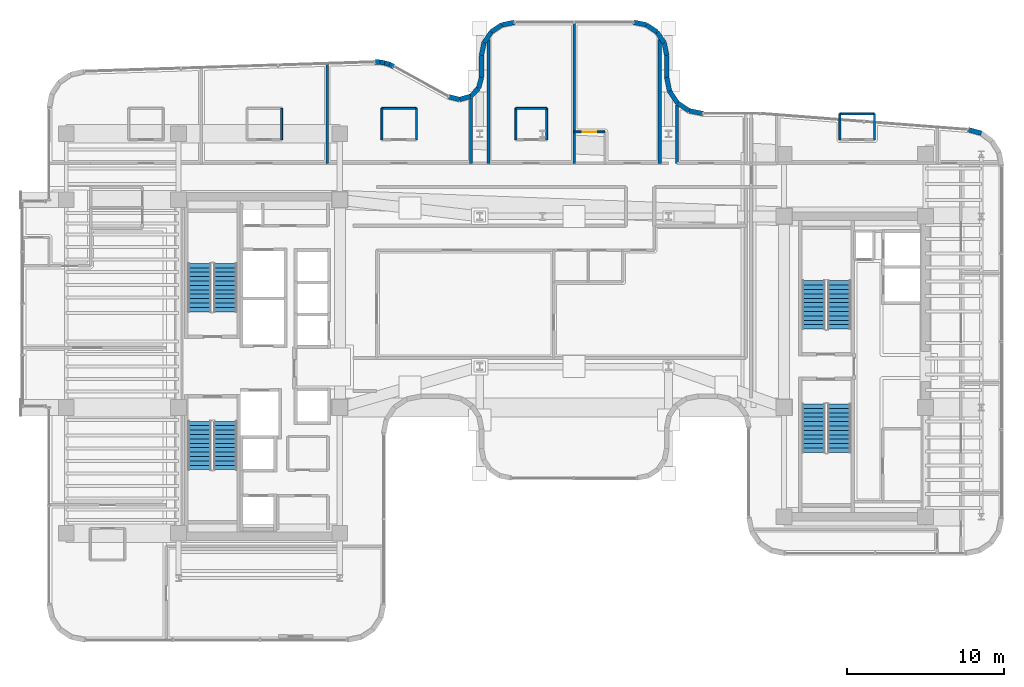
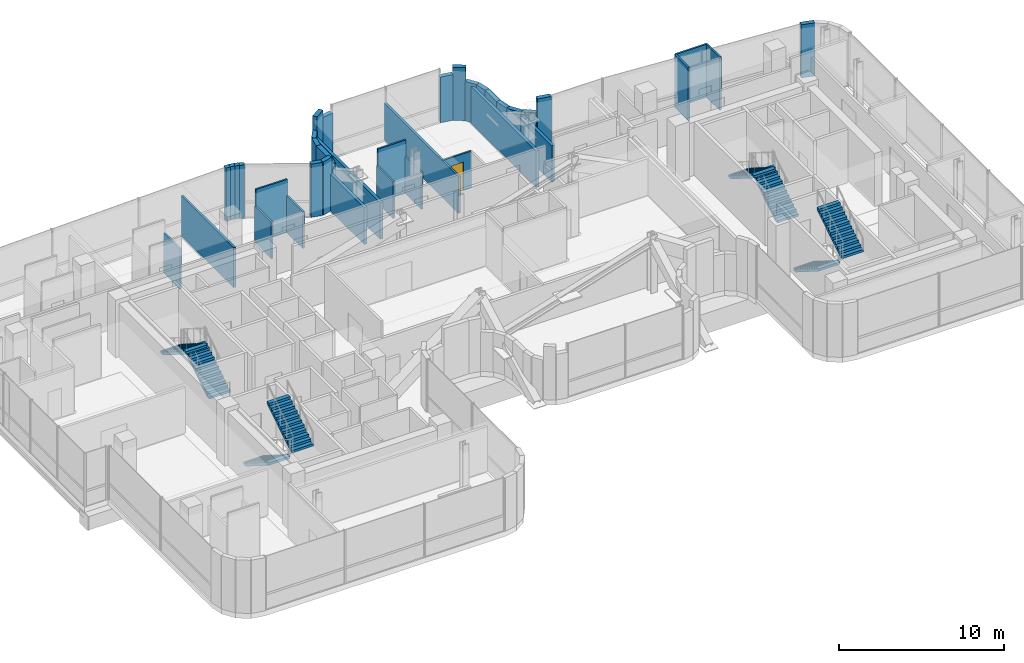
# One storey, part 31 of 37: 40 walls, 8 stair flights, 1 door, 1 opening, 4 elements without a shape of their own.
"""IFC4 building model written with IfcOpenShell, lengths in metres."""

import ifcopenshell
import ifcopenshell.guid

model = None  # the IFC model being written
_history = None  # IfcOwnerHistory: only IFC2X3 demands one
_inside = {}  # id of a spatial element -> (the spatial element, [elements in it])
_under = {}  # id of a project, library or spatial element -> (it, [spatial elements below it])
_declared = {}  # id of a project -> (the project, [libraries it declares])
_typed = {}  # id of a type object -> (the type object, [elements of that type])
_made_of = {}  # id of a material, layer set ... -> (it, [elements and type objects made of it])


def new_model(schema):
    """Start an empty IFC model of exactly this schema.

    Asked for "IFC4X3", IfcOpenShell would pick the latest addendum, in which some entities
    have other attributes; the version numbers below select the first issue.
    IFC2X3 requires an IfcOwnerHistory on every rooted entity: one is made here for all.
    """
    global model, _history
    if schema == "IFC4X3":
        model = ifcopenshell.file(schema_version=(4, 3, 0, 0))
    else:
        model = ifcopenshell.file(schema=schema)
    _inside.clear()
    _under.clear()
    _declared.clear()
    _typed.clear()
    _made_of.clear()
    _history = None
    if model.schema == "IFC2X3":
        org = make("IfcOrganization", Name="unknown")
        user = make(
            "IfcPersonAndOrganization",
            ThePerson=make("IfcPerson", FamilyName="unknown"),
            TheOrganization=org,
        )
        app = make(
            "IfcApplication",
            ApplicationDeveloper=org,
            Version="unknown",
            ApplicationFullName="unknown",
            ApplicationIdentifier="unknown",
        )
        _history = make(
            "IfcOwnerHistory",
            OwningUser=user,
            OwningApplication=app,
            ChangeAction="ADDED",
            CreationDate=0,
        )
    return model


def make(cls, **values):
    """One entity of the class cls with the attributes given. An attribute that is None is left unset."""
    return model.create_entity(
        cls, **{name: value for name, value in values.items() if value is not None}
    )


def rooted(cls, **values):
    """An entity with a GlobalId (a new one), such as an element, a storey or a relation."""
    return make(cls, GlobalId=ifcopenshell.guid.new(), OwnerHistory=_history, **values)


def si_unit(unit_type, name, prefix=None):
    """IfcSIUnit, for example si_unit("LENGTHUNIT", "METRE", prefix="MILLI")."""
    return make("IfcSIUnit", UnitType=unit_type, Prefix=prefix, Name=name)


def assignment(units):
    """IfcUnitAssignment: the units of a project."""
    return None if units is None else make("IfcUnitAssignment", Units=units)


def point(xyz):
    """IfcCartesianPoint."""
    return None if xyz is None else make("IfcCartesianPoint", Coordinates=xyz)


def direction(xyz):
    """IfcDirection."""
    return None if xyz is None else make("IfcDirection", DirectionRatios=xyz)


def frame(location, z_axis=None, x_axis=None):
    """IfcAxis2Placement3D, a coordinate frame: its origin and axes. An axis left out is left unset."""
    return make(
        "IfcAxis2Placement3D",
        Location=point(location),
        Axis=direction(z_axis),
        RefDirection=direction(x_axis),
    )


def frame_2d(location, x_axis=None):
    """IfcAxis2Placement2D, a coordinate frame in the plane: its origin and x axis."""
    return make(
        "IfcAxis2Placement2D", Location=point(location), RefDirection=direction(x_axis)
    )


def origin():
    """The frame at (0, 0, 0) with its axes left unset."""
    return frame((0.0, 0.0, 0.0))


def place(relative_to, where):
    """IfcLocalPlacement: puts the frame where relative to a parent placement (None: the world)."""
    return make(
        "IfcLocalPlacement", PlacementRelTo=relative_to, RelativePlacement=where
    )


def context(
    kind, dimensions, precision=None, world=None, true_north=None, identifier=None
):
    """IfcGeometricRepresentationContext, for example the 3D "Model" context."""
    return make(
        "IfcGeometricRepresentationContext",
        ContextIdentifier=identifier,
        ContextType=kind,
        CoordinateSpaceDimension=dimensions,
        Precision=precision,
        WorldCoordinateSystem=world,
        TrueNorth=true_north,
    )


def subcontext(parent, identifier, kind, view, scale=None):
    """IfcGeometricRepresentationSubContext, for example "Body" below "Model"."""
    return make(
        "IfcGeometricRepresentationSubContext",
        ContextIdentifier=identifier,
        ContextType=kind,
        ParentContext=parent,
        TargetScale=scale,
        TargetView=view,
    )


def project(units=None, contexts=None):
    """IfcProject with its units and contexts."""
    return rooted(
        "IfcProject",
        Name="project",
        RepresentationContexts=contexts,
        UnitsInContext=assignment(units),
    )


def spatial(cls, under=None, at=None, **own):
    """A site, building, storey or space (cls), placed at a placement, below another one or the project."""
    s = rooted(cls, ObjectPlacement=at, **own)
    if under is not None:
        _under.setdefault(under.id(), (under, []))[1].append(s)
    return s


def polyline(points):
    """IfcPolyline through the points."""
    return make("IfcPolyline", Points=[point(p) for p in points])


def profile(cls, at=None, kind="AREA", **sizes):
    """A parametric profile (cls). Its sizes go by their IFC names, for example OverallWidth=200.0."""
    return make(cls, ProfileType=kind, Position=at, **sizes)


def rectangle(**sizes):
    """IfcRectangleProfileDef."""
    return profile("IfcRectangleProfileDef", **sizes)


def outline(outer, holes=None, kind="AREA"):
    """IfcArbitraryClosedProfileDef: a profile drawn as a closed curve; with holes, ...WithVoids."""
    if holes is None:
        return make("IfcArbitraryClosedProfileDef", ProfileType=kind, OuterCurve=outer)
    return make(
        "IfcArbitraryProfileDefWithVoids",
        ProfileType=kind,
        OuterCurve=outer,
        InnerCurves=holes,
    )


def extrude(swept, where, along, depth):
    """IfcExtrudedAreaSolid: the profile swept, set in the frame where, extruded along a direction by depth."""
    return make(
        "IfcExtrudedAreaSolid",
        SweptArea=swept,
        Position=where,
        ExtrudedDirection=direction(along),
        Depth=depth,
    )


def shape(context_of_items, identifier, shape_type, items):
    """IfcShapeRepresentation: the items that make up one representation, for example the "Body"."""
    return make(
        "IfcShapeRepresentation",
        ContextOfItems=context_of_items,
        RepresentationIdentifier=identifier,
        RepresentationType=shape_type,
        Items=items,
    )


def material(Name=None, Category=None):
    """IfcMaterial."""
    return make("IfcMaterial", Name=Name, Category=Category)


def layer(
    of_material, thickness, ventilated=None, Name=None, Category=None, Priority=None
):
    """IfcMaterialLayer: one layer of a wall or slab, of a material (None: an air gap)."""
    return make(
        "IfcMaterialLayer",
        Material=of_material,
        LayerThickness=thickness,
        IsVentilated=ventilated,
        Name=Name,
        Category=Category,
        Priority=Priority,
    )


def layer_set(layers, Name=None):
    """IfcMaterialLayerSet."""
    return make("IfcMaterialLayerSet", MaterialLayers=layers, LayerSetName=Name)


def made_of(thing, what):
    """Note that an element or type object is made of a material, layer set ...; save() writes the relation."""
    if what is not None:
        _made_of.setdefault(what.id(), (what, []))[1].append(thing)
    return thing


def type_object(cls, material=None, **own):
    """A type object (cls), such as IfcWallType, which elements share."""
    return made_of(rooted(cls, **own), material)


def element(
    cls,
    number,
    at=None,
    inside=None,
    cuts=None,
    type_object=None,
    material=None,
    context=None,
    identifier="Body",
    shape_type=None,
    held_by="IfcProductDefinitionShape",
    body=None,
    shapes=None,
    **own,
):
    """One element of the class cls, such as IfcWall. Its Tag is "e" and its number.

    at: its placement. inside: the storey or other place that contains it. cuts: it is an
    opening in that element (IfcRelVoidsElement). A single representation is given by context,
    identifier, shape_type and body (its items); several are given by shapes. held_by: the class
    of the entity that holds the representations. save() writes the other relations.
    """
    e = rooted(cls, Tag="e%d" % number, ObjectPlacement=at, **own)
    if body is not None:
        shapes = [shape(context, identifier, shape_type, body)]
    if shapes is not None:
        e.Representation = make(held_by, Representations=shapes)
    if inside is not None:
        _inside.setdefault(inside.id(), (inside, []))[1].append(e)
    if cuts is not None:
        rooted(
            "IfcRelVoidsElement", RelatingBuildingElement=cuts, RelatedOpeningElement=e
        )
    if type_object is not None:
        _typed.setdefault(type_object.id(), (type_object, []))[1].append(e)
    return made_of(e, material)


def fill(opening, filler):
    """IfcRelFillsElement: the door or window that sits in an opening."""
    return rooted(
        "IfcRelFillsElement",
        RelatingOpeningElement=opening,
        RelatedBuildingElement=filler,
    )


def aggregate(whole, parts):
    """IfcRelAggregates: a whole, such as a stair, and the parts it consists of."""
    return rooted("IfcRelAggregates", RelatingObject=whole, RelatedObjects=parts)


def save(model, path):
    """Write the relations noted so far, then the file.

    IfcRelAggregates (storeys below a building ...), IfcRelContainedInSpatialStructure (elements
    in a storey), IfcRelDefinesByType, IfcRelAssociatesMaterial and IfcRelDeclares: one each for
    every whole, place, type object, material and project.
    """
    for whole, parts in _under.values():
        aggregate(whole, parts)
    for where, things in _inside.values():
        rooted(
            "IfcRelContainedInSpatialStructure",
            RelatedElements=things,
            RelatingStructure=where,
        )
    for kind, things in _typed.values():
        rooted("IfcRelDefinesByType", RelatedObjects=things, RelatingType=kind)
    for what, things in _made_of.values():
        rooted("IfcRelAssociatesMaterial", RelatedObjects=things, RelatingMaterial=what)
    for by, libraries in _declared.values():
        rooted("IfcRelDeclares", RelatingContext=by, RelatedDefinitions=libraries)
    model.write(path)


model = new_model("IFC4")

# Units and contexts
model_context = context("Model", 3, precision=1e-05, world=origin(), true_north=direction((0.0, 1.0)))
body_context = subcontext(model_context, "Body", "Model", "MODEL_VIEW")
ifc_project = project(units=[si_unit("LENGTHUNIT", "METRE"), si_unit("AREAUNIT", "SQUARE_METRE"), si_unit("VOLUMEUNIT", "CUBIC_METRE"), si_unit("PLANEANGLEUNIT", "RADIAN"), si_unit("MASSUNIT", "GRAM", prefix="KILO")], contexts=[model_context])

# Site, building, storey
site_placement = place(None, origin())
site = spatial("IfcSite", under=ifc_project, at=site_placement, CompositionType="ELEMENT")
building_placement = place(site_placement, origin())
building = spatial("IfcBuilding", under=site, at=building_placement, Name="Valdorenza Pilgrim Sanctuary Tower", CompositionType="ELEMENT")
storey_placement = place(building_placement, frame((0.0, 0.0, 172.300048828125)))
storey = spatial("IfcBuildingStorey", under=building, at=storey_placement, Name="L44", CompositionType="ELEMENT", Elevation=172.300048828125)

# Walls
ifc_material_1 = material(Name="Honed travertine limestone", Category="masonry")
ifc_layer_1 = layer(ifc_material_1, 0.300048828125, Name="Honed travertine limestone")
ifc_layer_set_1 = layer_set([ifc_layer_1], Name="Honed travertine limestone")
wall_type_1 = type_object("IfcWallType", Name="WAL-EXT-300", PredefinedType="SOLIDWALL", material=ifc_layer_set_1)
wall_1_placement = place(storey_placement, frame((-10.157958984375, 19.368408203125, 0.0), z_axis=(0.0, 0.0, 1.0), x_axis=(0.999425494718, -0.03389218949, 0.0)))
element("IfcWall", 1, at=wall_1_placement, inside=storey, type_object=wall_type_1, Name="L44 Rounded Wind-Corner Stone Pier 7", PredefinedType="SOLIDWALL", context=body_context, shape_type="SweptSolid", body=[
    extrude(rectangle(XDim=0.309814453125, YDim=0.300048828125, at=frame_2d((0.15478515625, 0.0))), origin(), (0.0, 0.0, 1.0), 3.929931640625),
])
for number, where, z_axis, x_axis, name in (
    (2, (-9.848388671875, 19.35791015625, 0.0), (0.0, 0.0, 1.0), (0.985894009724, -0.167370850479, 0.0), "L44 Rounded Wind-Corner Stone Pier 8"),
    (3, (-9.54638671875, 19.306640625, 0.0), (0.0, 0.0, 1.0), (0.95479144403, -0.297276467966, 0.0), "L44 Rounded Wind-Corner Stone Pier 9"),
):
    element("IfcWall", number, at=place(storey_placement, frame(where, z_axis=z_axis, x_axis=x_axis)), inside=storey, type_object=wall_type_1, Name=name, PredefinedType="SOLIDWALL", context=body_context, shape_type="SweptSolid", body=[
        extrude(rectangle(XDim=0.306396484375, YDim=0.300048828125, at=frame_2d((0.1533203125, 0.0))), origin(), (0.0, 0.0, 1.0), 3.929931640625),
    ])
wall_2_placement = place(storey_placement, frame((-9.25390625, 19.215576171875, 0.0), z_axis=(0.0, 0.0, 1.0), x_axis=(0.906524902388, -0.42215234377, 0.0)))
element("IfcWall", 4, at=wall_2_placement, inside=storey, type_object=wall_type_1, Name="L44 Rounded Wind-Corner Stone Pier 10", PredefinedType="SOLIDWALL", context=body_context, shape_type="SweptSolid", body=[
    extrude(rectangle(XDim=0.31005859375, YDim=0.300048828125, at=frame_2d((0.155029296875, 0.0))), origin(), (0.0, 0.0, 1.0), 3.929931640625),
])
wall_3_placement = place(storey_placement, frame((-5.4716796875, 17.15869140625, 0.0), z_axis=(0.0, 0.0, 1.0), x_axis=(0.970564820059, -0.240840050789, 0.0)))
element("IfcWall", 5, at=wall_3_placement, inside=storey, type_object=wall_type_1, Name="L44 Rounded Wind-Corner Stone Pier 12", PredefinedType="SOLIDWALL", context=body_context, shape_type="SweptSolid", body=[
    extrude(rectangle(XDim=0.711669921875, YDim=0.300048828125, at=frame_2d((0.35595703125, 0.0))), origin(), (0.0, 0.0, 1.0), 3.929931640625),
])
wall_4_placement = place(storey_placement, frame((-4.781005859375, 16.9873046875, 0.0), z_axis=(0.0, 0.0, 1.0), x_axis=(0.962494705656, 0.271300463662, 0.0)))
element("IfcWall", 6, at=wall_4_placement, inside=storey, type_object=wall_type_1, Name="L44 Rounded Wind-Corner Stone Pier 13", PredefinedType="SOLIDWALL", context=body_context, shape_type="SweptSolid", body=[
    extrude(rectangle(XDim=0.726318359375, YDim=0.300048828125, at=frame_2d((0.36328125, 0.0))), origin(), (0.0, 0.0, 1.0), 3.929931640625),
])
wall_5_placement = place(storey_placement, frame((-4.08203125, 17.184326171875, 0.0), z_axis=(0.0, 0.0, 1.0), x_axis=(0.701538604215, 0.712631452293, 0.0)))
element("IfcWall", 7, at=wall_5_placement, inside=storey, type_object=wall_type_1, Name="L44 Rounded Wind-Corner Stone Pier 14", PredefinedType="SOLIDWALL", context=body_context, shape_type="SweptSolid", body=[
    extrude(rectangle(XDim=0.726318359375, YDim=0.300048828125, at=frame_2d((0.36328125, 0.0))), origin(), (0.0, 0.0, 1.0), 2.9150390625),
])
wall_6_placement = place(storey_placement, frame((-3.572509765625, 17.701904296875, 0.0), z_axis=(0.0, 0.0, 1.0), x_axis=(0.256637481794, 0.966507735581, 0.0)))
element("IfcWall", 8, at=wall_6_placement, inside=storey, type_object=wall_type_1, Name="L44 Rounded Wind-Corner Stone Pier 15", PredefinedType="SOLIDWALL", context=body_context, shape_type="SweptSolid", body=[
    extrude(rectangle(XDim=0.711669921875, YDim=0.300048828125, at=frame_2d((0.35595703125, 0.0))), origin(), (0.0, 0.0, 1.0), 2.9150390625),
])
wall_7_placement = place(storey_placement, frame((-3.389892578125, 18.3896484375, 0.0), z_axis=(0.0, 0.0, 1.0), x_axis=(0.0, 1.0, 0.0)))
element("IfcWall", 9, at=wall_7_placement, inside=storey, type_object=wall_type_1, Name="L44 Rounded Wind-Corner Stone Pier 16", PredefinedType="SOLIDWALL", context=body_context, shape_type="SweptSolid", body=[
    extrude(rectangle(XDim=1.3955078125, YDim=0.300048828125, at=frame_2d((0.69775390625, 0.0))), origin(), (0.0, 0.0, 1.0), 2.9150390625),
])
wall_8_placement = place(storey_placement, frame((-3.389892578125, 19.78515625, 0.0), z_axis=(0.0, 0.0, 1.0), x_axis=(0.195094354541, 0.980784478276, 0.0)))
element("IfcWall", 10, at=wall_8_placement, inside=storey, type_object=wall_type_1, Name="L44 Rounded Wind-Corner Stone Pier 17", PredefinedType="SOLIDWALL", context=body_context, shape_type="SweptSolid", body=[
    extrude(rectangle(XDim=0.8271484375, YDim=0.300048828125, at=frame_2d((0.41357421875, 0.0))), origin(), (0.0, 0.0, 1.0), 2.9150390625),
])
wall_9_placement = place(storey_placement, frame((-3.228515625, 20.596435546875, 0.0), z_axis=(0.0, 0.0, 1.0), x_axis=(0.55545926088, 0.831543750805, 0.0)))
element("IfcWall", 11, at=wall_9_placement, inside=storey, type_object=wall_type_1, Name="L44 Rounded Wind-Corner Stone Pier 18", PredefinedType="SOLIDWALL", context=body_context, shape_type="SweptSolid", body=[
    extrude(rectangle(XDim=0.816162109375, YDim=0.300048828125, at=frame_2d((0.408203125, 0.0))), origin(), (0.0, 0.0, 1.0), 2.9150390625),
])
wall_10_placement = place(storey_placement, frame((-2.775146484375, 21.275146484375, 0.0), z_axis=(0.0, 0.0, 1.0), x_axis=(0.831543750805, 0.55545926088, 0.0)))
element("IfcWall", 12, at=wall_10_placement, inside=storey, type_object=wall_type_1, Name="L44 Rounded Wind-Corner Stone Pier 19", PredefinedType="SOLIDWALL", context=body_context, shape_type="SweptSolid", body=[
    extrude(rectangle(XDim=0.816162109375, YDim=0.300048828125, at=frame_2d((0.408203125, 0.0))), origin(), (0.0, 0.0, 1.0), 3.929931640625),
])
for number, where, z_axis, x_axis, name in (
    (13, (-2.096435546875, 21.728515625, 0.0), (0.0, 0.0, 1.0), (0.980784478276, 0.195094354541, 0.0), "L44 Rounded Wind-Corner Stone Pier 20"),
    (14, (6.28515625, 21.889892578125, 0.0), (0.0, 0.0, 1.0), (0.980784478276, -0.195094354541, 0.0), "L44 Rounded Wind-Corner Stone Pier 22"),
):
    element("IfcWall", number, at=place(storey_placement, frame(where, z_axis=z_axis, x_axis=x_axis)), inside=storey, type_object=wall_type_1, Name=name, PredefinedType="SOLIDWALL", context=body_context, shape_type="SweptSolid", body=[
        extrude(rectangle(XDim=0.8271484375, YDim=0.300048828125, at=frame_2d((0.41357421875, 0.0))), origin(), (0.0, 0.0, 1.0), 3.3759765625),
    ])
wall_11_placement = place(storey_placement, frame((7.096435546875, 21.728515625, 0.0), z_axis=(0.0, 0.0, 1.0), x_axis=(0.831543750805, -0.55545926088, 0.0)))
element("IfcWall", 15, at=wall_11_placement, inside=storey, type_object=wall_type_1, Name="L44 Rounded Wind-Corner Stone Pier 23", PredefinedType="SOLIDWALL", context=body_context, shape_type="SweptSolid", body=[
    extrude(rectangle(XDim=0.816162109375, YDim=0.300048828125, at=frame_2d((0.408203125, 0.0))), origin(), (0.0, 0.0, 1.0), 3.929931640625),
])
wall_12_placement = place(storey_placement, frame((7.775146484375, 21.275146484375, 0.0), z_axis=(0.0, 0.0, 1.0), x_axis=(0.55545926088, -0.831543750805, 0.0)))
element("IfcWall", 16, at=wall_12_placement, inside=storey, type_object=wall_type_1, Name="L44 Rounded Wind-Corner Stone Pier 24", PredefinedType="SOLIDWALL", context=body_context, shape_type="SweptSolid", body=[
    extrude(rectangle(XDim=0.816162109375, YDim=0.300048828125, at=frame_2d((0.408203125, 0.0))), origin(), (0.0, 0.0, 1.0), 2.9150390625),
])
wall_13_placement = place(storey_placement, frame((8.228515625, 20.596435546875, 0.0), z_axis=(0.0, 0.0, 1.0), x_axis=(0.195094354541, -0.980784478276, 0.0)))
element("IfcWall", 17, at=wall_13_placement, inside=storey, type_object=wall_type_1, Name="L44 Rounded Wind-Corner Stone Pier 25", PredefinedType="SOLIDWALL", context=body_context, shape_type="SweptSolid", body=[
    extrude(rectangle(XDim=0.8271484375, YDim=0.300048828125, at=frame_2d((0.41357421875, 0.0))), origin(), (0.0, 0.0, 1.0), 2.9150390625),
])
wall_14_placement = place(storey_placement, frame((8.389892578125, 19.78515625, 0.0), z_axis=(0.0, 0.0, 1.0), x_axis=(0.0, -1.0, 0.0)))
element("IfcWall", 18, at=wall_14_placement, inside=storey, type_object=wall_type_1, Name="L44 Rounded Wind-Corner Stone Pier 26", PredefinedType="SOLIDWALL", context=body_context, shape_type="SweptSolid", body=[
    extrude(rectangle(XDim=1.391845703125, YDim=0.300048828125, at=frame_2d((0.69580078125, 0.0))), origin(), (0.0, 0.0, 1.0), 2.9150390625),
])
wall_15_placement = place(storey_placement, frame((8.389892578125, 18.393310546875, 0.0), z_axis=(0.0, 0.0, 1.0), x_axis=(0.195222179208, -0.980759043163, 0.0)))
element("IfcWall", 19, at=wall_15_placement, inside=storey, type_object=wall_type_1, Name="L44 Rounded Wind-Corner Stone Pier 27", PredefinedType="SOLIDWALL", context=body_context, shape_type="SweptSolid", body=[
    extrude(rectangle(XDim=0.892822265625, YDim=0.300048828125, at=frame_2d((0.4462890625, 0.0))), origin(), (0.0, 0.0, 1.0), 2.9150390625),
])
for number, where, z_axis, x_axis, name in (
    (20, (8.564208984375, 17.517578125, 0.0), (0.0, 0.0, 1.0), (0.555448106233, -0.831551201841, 0.0), "L44 Rounded Wind-Corner Stone Pier 28"),
    (21, (9.066162109375, 16.76611328125, 0.0), (0.0, 0.0, 1.0), (0.831551201841, -0.555448106233, 0.0), "L44 Rounded Wind-Corner Stone Pier 29"),
):
    element("IfcWall", number, at=place(storey_placement, frame(where, z_axis=z_axis, x_axis=x_axis)), inside=storey, type_object=wall_type_1, Name=name, PredefinedType="SOLIDWALL", context=body_context, shape_type="SweptSolid", body=[
        extrude(rectangle(XDim=0.90380859375, YDim=0.300048828125, at=frame_2d((0.451904296875, 0.0))), origin(), (0.0, 0.0, 1.0), 2.9150390625),
    ])
wall_16_placement = place(storey_placement, frame((9.817626953125, 16.26416015625, 0.0), z_axis=(0.0, 0.0, 1.0), x_axis=(0.980800964186, -0.195011457743, 0.0)))
element("IfcWall", 22, at=wall_16_placement, inside=storey, type_object=wall_type_1, Name="L44 Rounded Wind-Corner Stone Pier 30", PredefinedType="SOLIDWALL", context=body_context, shape_type="SweptSolid", body=[
    extrude(rectangle(XDim=0.892578125, YDim=0.300048828125, at=frame_2d((0.4462890625, 0.0))), origin(), (0.0, 0.0, 1.0), 3.929931640625),
])
wall_17_placement = place(storey_placement, frame((27.56640625, 15.0625, 0.0), z_axis=(0.0, 0.0, 1.0), x_axis=(0.965357594382, -0.260930479187, 0.0)))
element("IfcWall", 23, at=wall_17_placement, inside=storey, type_object=wall_type_1, Name="L44 Rounded Wind-Corner Stone Pier 33", PredefinedType="SOLIDWALL", context=body_context, shape_type="SweptSolid", body=[
    extrude(rectangle(XDim=0.85986328125, YDim=0.300048828125, at=frame_2d((0.429931640625, 0.0))), origin(), (0.0, 0.0, 1.0), 3.929931640625),
])
ifc_material_2 = material(Name="Gypsum shaftwall partition", Category="gypsum")
ifc_layer_2 = layer(ifc_material_2, 0.199951171875, Name="Gypsum shaftwall partition")
ifc_layer_set_2 = layer_set([ifc_layer_2], Name="Gypsum shaftwall partition")
wall_type_2 = type_object("IfcWallType", Name="WAL-FFL-200", PredefinedType="PARTITIONING", material=ifc_layer_set_2)
wall_18_placement = place(storey_placement, frame((-4.050048828125, 12.919921875, 0.0), z_axis=(0.0, 0.0, 1.0), x_axis=(0.0, 1.0, 0.0)))
element("IfcWall", 24, at=wall_18_placement, inside=storey, type_object=wall_type_2, Name="L44 L44 West Prow Truss Chase PW", PredefinedType="PARTITIONING", context=body_context, shape_type="SweptSolid", body=[
    extrude(rectangle(XDim=4.1435546875, YDim=0.199951171875, at=frame_2d((2.07177734375, 0.0))), origin(), (0.0, 0.0, 1.0), 2.71484375),
])
for number, where, z_axis, x_axis, name in (
    (25, (-2.949951171875, 12.919921875, 0.0), (0.0, 0.0, 1.0), (0.0, 1.0, 0.0), "L44 L44 West Prow Truss Chase PE"),
    (26, (7.949951171875, 12.919921875, 0.0), (0.0, 0.0, 1.0), (0.0, 1.0, 0.0), "L44 L44 East Prow Truss Chase W"),
):
    element("IfcWall", number, at=place(storey_placement, frame(where, z_axis=z_axis, x_axis=x_axis)), inside=storey, type_object=wall_type_2, Name=name, PredefinedType="PARTITIONING", context=body_context, shape_type="SweptSolid", body=[
        extrude(rectangle(XDim=7.86865234375, YDim=0.199951171875, at=frame_2d((3.934326171875, 0.0))), origin(), (0.0, 0.0, 1.0), 2.71484375),
    ])
wall_19_placement = place(storey_placement, frame((9.050048828125, 12.919921875, 0.0), z_axis=(0.0, 0.0, 1.0), x_axis=(0.0, 1.0, 0.0)))
element("IfcWall", 27, at=wall_19_placement, inside=storey, type_object=wall_type_2, Name="L44 L44 East Prow Truss Chase E", PredefinedType="PARTITIONING", context=body_context, shape_type="SweptSolid", body=[
    extrude(rectangle(XDim=3.706787109375, YDim=0.199951171875, at=frame_2d((1.853515625, 0.0))), origin(), (0.0, 0.0, 1.0), 2.71484375),
])
ifc_material_3 = material(Name="Moisture-resistant gypsum partition", Category="gypsum")
ifc_layer_3 = layer(ifc_material_3, 0.1201171875, Name="Moisture-resistant gypsum partition")
ifc_layer_set_3 = layer_set([ifc_layer_3], Name="Moisture-resistant gypsum partition")
wall_type_3 = type_object("IfcWallType", Name="WAL-INT-120", PredefinedType="PARTITIONING", material=ifc_layer_set_3)
wall_20_placement = place(storey_placement, frame((-16.10009765625, 14.419921875, 0.0), z_axis=(0.0, 0.0, 1.0), x_axis=(0.0, 1.0, 0.0)))
element("IfcWall", 28, at=wall_20_placement, inside=storey, type_object=wall_type_3, Name="L44 North Guest Room L44-N2 En-suite East Wall", PredefinedType="PARTITIONING", context=body_context, shape_type="SweptSolid", body=[
    extrude(rectangle(XDim=2.0, YDim=0.1201171875, at=frame_2d((1.0, 0.0))), origin(), (0.0, 0.0, 1.0), 2.96484375),
])
for number, where, z_axis, x_axis, name in (
    (29, (-9.72509765625, 14.419921875, 0.0), (0.0, 0.0, 1.0), (0.0, 1.0, 0.0), "L44 North Guest Room L44-N3 En-suite West Wall"),
    (30, (-7.52490234375, 14.419921875, 0.0), (0.0, 0.0, 1.0), (0.0, 1.0, 0.0), "L44 North Guest Room L44-N3 En-suite East Wall"),
):
    element("IfcWall", number, at=place(storey_placement, frame(where, z_axis=z_axis, x_axis=x_axis)), inside=storey, type_object=wall_type_3, Name=name, PredefinedType="PARTITIONING", context=body_context, shape_type="SweptSolid", body=[
        extrude(rectangle(XDim=2.0, YDim=0.1201171875, at=frame_2d((1.0, 0.0))), origin(), (0.0, 0.0, 1.0), 2.71484375),
    ])
wall_21_placement = place(storey_placement, frame((-9.72509765625, 16.419921875, 0.0), z_axis=(0.0, 0.0, 1.0), x_axis=(1.0, 0.0, 0.0)))
element("IfcWall", 31, at=wall_21_placement, inside=storey, type_object=wall_type_3, Name="L44 North Guest Room L44-N3 En-suite Back Wall", PredefinedType="PARTITIONING", context=body_context, shape_type="SweptSolid", body=[
    extrude(rectangle(XDim=2.2001953125, YDim=0.1201171875, at=frame_2d((1.10009765625, 0.0))), origin(), (0.0, 0.0, 1.0), 3.929931640625),
])
for number, where, z_axis, x_axis, name in (
    (32, (-1.2060546875, 14.419921875, 0.0), (0.0, 0.0, 1.0), (0.0, 1.0, 0.0), "L44 North Guest Room L44-N4 En-suite West Wall"),
    (33, (0.756103515625, 14.419921875, 0.0), (0.0, 0.0, 1.0), (0.0, 1.0, 0.0), "L44 North Guest Room L44-N4 En-suite East Wall"),
):
    element("IfcWall", number, at=place(storey_placement, frame(where, z_axis=z_axis, x_axis=x_axis)), inside=storey, type_object=wall_type_3, Name=name, PredefinedType="PARTITIONING", context=body_context, shape_type="SweptSolid", body=[
        extrude(rectangle(XDim=2.0, YDim=0.1201171875, at=frame_2d((1.0, 0.0))), origin(), (0.0, 0.0, 1.0), 2.71484375),
    ])
wall_22_placement = place(storey_placement, frame((-1.2060546875, 16.419921875, 0.0), z_axis=(0.0, 0.0, 1.0), x_axis=(1.0, 0.0, 0.0)))
element("IfcWall", 34, at=wall_22_placement, inside=storey, type_object=wall_type_3, Name="L44 North Guest Room L44-N4 En-suite Back Wall", PredefinedType="PARTITIONING", context=body_context, shape_type="SweptSolid", body=[
    extrude(rectangle(XDim=1.962158203125, YDim=0.1201171875, at=frame_2d((0.98095703125, 0.0))), origin(), (0.0, 0.0, 1.0), 3.929931640625),
])

# Wall, opening, door
wall_23_placement = place(storey_placement, frame((2.5, 14.919921875, 0.0), z_axis=(0.0, 0.0, 1.0), x_axis=(1.0, 0.0, 0.0)))
wall_23 = element("IfcWall", 35, at=wall_23_placement, inside=storey, type_object=wall_type_3, Name="L44 North Guest Room L44-N5 En-suite Door Wall", PredefinedType="PARTITIONING", context=body_context, shape_type="SweptSolid", body=[
    extrude(rectangle(XDim=1.9619140625, YDim=0.1201171875, at=frame_2d((0.98095703125, 0.0))), origin(), (0.0, 0.0, 1.0), 2.71484375),
])
opening_placement = place(wall_23_placement, frame((0.555908203125, 0.0, 0.0)))
opening = element("IfcOpeningElement", 36, at=opening_placement, cuts=wall_23, Name="Opening DR-WC1", PredefinedType="OPENING", context=body_context, shape_type="SweptSolid", body=[
    extrude(rectangle(XDim=0.85009765625, YDim=2.10009765625, at=frame_2d((0.425048828125, 1.050048828125))), frame((0.0, 0.074951171875, 0.0), z_axis=(0.0, -1.0, 0.0), x_axis=(1.0, 0.0, 0.0)), (0.0, 0.0, 1.0), 0.14990234375),
])
ifc_material_4 = material(Name="Moisture-resistant lacquered timber", Category="wood")
door_type = type_object("IfcDoorType", Name="DR-BATH-850", OperationType="NOTDEFINED", PredefinedType="DOOR", material=ifc_material_4)
door_placement = place(opening_placement, origin())
door = element("IfcDoor", 37, at=door_placement, inside=storey, type_object=door_type, Name="L44 North Guest Room L44-N5 En-suite Bathroom Door", OperationType="SINGLE_SWING_LEFT", OverallHeight=2.10009765625, OverallWidth=0.85009765625, PredefinedType="DOOR", context=body_context, shape_type="SweptSolid", body=[
    extrude(rectangle(XDim=0.85009765625, YDim=2.10009765625, at=frame_2d((0.425048828125, 1.050048828125))), frame((0.0, 0.02490234375, 0.0), z_axis=(0.0, -1.0, 0.0), x_axis=(1.0, 0.0, 0.0)), (0.0, 0.0, 1.0), 0.050048828125),
])
fill(opening, door)

# Walls
for number, where, z_axis, x_axis, name in (
    (38, (19.39990234375, 14.419921875, 0.0), (0.0, 0.0, 1.0), (0.0, 1.0, 0.0), "L44 East North Guest Room L44-EN1 En-suite West Wall"),
    (39, (21.60009765625, 14.419921875, 0.0), (0.0, 0.0, 1.0), (0.0, 1.0, 0.0), "L44 East North Guest Room L44-EN1 En-suite East Wall"),
):
    element("IfcWall", number, at=place(storey_placement, frame(where, z_axis=z_axis, x_axis=x_axis)), inside=storey, type_object=wall_type_3, Name=name, PredefinedType="PARTITIONING", context=body_context, shape_type="SweptSolid", body=[
        extrude(rectangle(XDim=1.650146484375, YDim=0.1201171875, at=frame_2d((0.8251953125, 0.0))), origin(), (0.0, 0.0, 1.0), 3.929931640625),
    ])
wall_24_placement = place(storey_placement, frame((19.39990234375, 16.070068359375, 0.0), z_axis=(0.0, 0.0, 1.0), x_axis=(1.0, 0.0, 0.0)))
element("IfcWall", 40, at=wall_24_placement, inside=storey, type_object=wall_type_3, Name="L44 East North Guest Room L44-EN1 En-suite Back Wall", PredefinedType="PARTITIONING", context=body_context, shape_type="SweptSolid", body=[
    extrude(rectangle(XDim=2.2001953125, YDim=0.1201171875, at=frame_2d((1.10009765625, 0.0))), origin(), (0.0, 0.0, 1.0), 3.929931640625),
])
ifc_material_5 = material(Name="Acoustic twin-stud gypsum partition", Category="gypsum")
ifc_layer_4 = layer(ifc_material_5, 0.14990234375, Name="Acoustic twin-stud gypsum partition")
ifc_layer_set_4 = layer_set([ifc_layer_4], Name="Acoustic twin-stud gypsum partition")
wall_type_4 = type_object("IfcWallType", Name="WAL-UNT-150", PredefinedType="PARTITIONING", material=ifc_layer_set_4)
wall_25_placement = place(storey_placement, frame((-13.199951171875, 12.919921875, 0.0), z_axis=(0.0, 0.0, 1.0), x_axis=(0.0, 1.0, 0.0)))
element("IfcWall", 41, at=wall_25_placement, inside=storey, type_object=wall_type_4, Name="L44 North Demising 2", PredefinedType="PARTITIONING", context=body_context, shape_type="SweptSolid", body=[
    extrude(rectangle(XDim=6.349609375, YDim=0.14990234375, at=frame_2d((3.1748046875, 0.0))), origin(), (0.0, 0.0, 1.0), 2.96484375),
])
wall_26_placement = place(storey_placement, frame((2.5, 12.919921875, 0.0), z_axis=(0.0, 0.0, 1.0), x_axis=(0.0, 1.0, 0.0)))
element("IfcWall", 42, at=wall_26_placement, inside=storey, type_object=wall_type_4, Name="L44 North Demising 3", PredefinedType="PARTITIONING", context=body_context, shape_type="SweptSolid", body=[
    extrude(rectangle(XDim=8.969970703125, YDim=0.14990234375, at=frame_2d((4.48486328125, 0.0))), origin(), (0.0, 0.0, 1.0), 2.71484375),
])

# Stair, stair flights
ifc_material_6 = material(Name="Concrete C40/50", Category="concrete")
stair_type = type_object("IfcStairType", Name="STR-DOG-CORE", PredefinedType="HALF_TURN_STAIR", material=ifc_material_6)
stair_1_placement = place(storey_placement, origin())
stair_1 = element("IfcStair", 43, at=stair_1_placement, inside=storey, type_object=stair_type, Name="L44 ST-A1", PredefinedType="HALF_TURN_STAIR")
stair_flight_type = type_object("IfcStairFlightType", Name="STF-RC-1400", PredefinedType="STRAIGHT", material=ifc_material_6)
stair_flight_1_placement = place(storey_placement, frame((-19.679931640625, 3.47998046875, 0.0), z_axis=(0.0, 0.0, 1.0), x_axis=(0.0, 1.0, 0.0)))
stair_flight_1 = element("IfcStairFlight", 44, at=stair_flight_1_placement, type_object=stair_flight_type, Name="ST-A1 flight 1", NumberOfRisers=12, NumberOfTreads=11, PredefinedType="STRAIGHT", RiserHeight=0.177083333, TreadLength=0.28, context=body_context, shape_type="SweptSolid", body=[
    extrude(outline(polyline([(0.0, 0.0), (0.0, 0.177001953125), (0.280029296875, 0.177001953125), (0.280029296875, 0.354248046875), (0.56005859375, 0.354248046875), (0.56005859375, 0.53125), (0.840087890625, 0.53125), (0.840087890625, 0.708251953125), (1.1201171875, 0.708251953125), (1.1201171875, 0.885498046875), (1.39990234375, 0.885498046875), (1.39990234375, 1.0625), (1.679931640625, 1.0625), (1.679931640625, 1.239501953125), (1.9599609375, 1.239501953125), (1.9599609375, 1.416748046875), (2.239990234375, 1.416748046875), (2.239990234375, 1.59375), (2.52001953125, 1.59375), (2.52001953125, 1.770751953125), (2.800048828125, 1.770751953125), (2.800048828125, 1.947998046875), (3.080078125, 1.947998046875), (3.080078125, 2.125), (3.080078125, 1.7705078125), (0.280517578125, 0.0), (0.0, 0.0)])), frame((0.0, 0.739990234375, 0.0), z_axis=(0.0, -1.0, 0.0), x_axis=(1.0, 0.0, 0.0)), (0.0, 0.0, 1.0), 1.47998046875),
])
stair_flight_2_placement = place(storey_placement, frame((-21.31005859375, 6.56005859375, 2.125), z_axis=(0.0, 0.0, 1.0), x_axis=(0.0, -1.0, 0.0)))
stair_flight_2 = element("IfcStairFlight", 45, at=stair_flight_2_placement, type_object=stair_flight_type, Name="ST-A1 flight 2", NumberOfRisers=12, NumberOfTreads=11, PredefinedType="STRAIGHT", RiserHeight=0.177083333, TreadLength=0.28, context=body_context, shape_type="SweptSolid", body=[
    extrude(outline(polyline([(0.0, 0.0), (0.0, 0.177001953125), (0.280029296875, 0.177001953125), (0.280029296875, 0.354248046875), (0.56005859375, 0.354248046875), (0.56005859375, 0.53125), (0.840087890625, 0.53125), (0.840087890625, 0.708251953125), (1.1201171875, 0.708251953125), (1.1201171875, 0.885498046875), (1.39990234375, 0.885498046875), (1.39990234375, 1.0625), (1.679931640625, 1.0625), (1.679931640625, 1.239501953125), (1.9599609375, 1.239501953125), (1.9599609375, 1.416748046875), (2.239990234375, 1.416748046875), (2.239990234375, 1.59375), (2.52001953125, 1.59375), (2.52001953125, 1.770751953125), (2.800048828125, 1.770751953125), (2.800048828125, 1.947998046875), (3.080078125, 1.947998046875), (3.080078125, 2.125), (3.080078125, 1.7705078125), (0.280517578125, 0.0), (0.0, 0.0)])), frame((0.0, 0.739990234375, 0.0), z_axis=(0.0, -1.0, 0.0), x_axis=(1.0, 0.0, 0.0)), (0.0, 0.0, 1.0), 1.47998046875),
])
aggregate(stair_1, [stair_flight_1, stair_flight_2])

stair_2_placement = place(storey_placement, origin())
stair_2 = element("IfcStair", 46, at=stair_2_placement, inside=storey, type_object=stair_type, Name="L44 ST-A2", PredefinedType="HALF_TURN_STAIR")
stair_flight_3_placement = place(storey_placement, frame((-21.31005859375, -3.47998046875, 0.0), z_axis=(0.0, 0.0, 1.0), x_axis=(0.0, -1.0, 0.0)))
stair_flight_3 = element("IfcStairFlight", 47, at=stair_flight_3_placement, type_object=stair_flight_type, Name="ST-A2 flight 1", NumberOfRisers=12, NumberOfTreads=11, PredefinedType="STRAIGHT", RiserHeight=0.177083333, TreadLength=0.28, context=body_context, shape_type="SweptSolid", body=[
    extrude(outline(polyline([(0.0, 0.0), (0.0, 0.177001953125), (0.280029296875, 0.177001953125), (0.280029296875, 0.354248046875), (0.56005859375, 0.354248046875), (0.56005859375, 0.53125), (0.840087890625, 0.53125), (0.840087890625, 0.708251953125), (1.1201171875, 0.708251953125), (1.1201171875, 0.885498046875), (1.39990234375, 0.885498046875), (1.39990234375, 1.0625), (1.679931640625, 1.0625), (1.679931640625, 1.239501953125), (1.9599609375, 1.239501953125), (1.9599609375, 1.416748046875), (2.239990234375, 1.416748046875), (2.239990234375, 1.59375), (2.52001953125, 1.59375), (2.52001953125, 1.770751953125), (2.800048828125, 1.770751953125), (2.800048828125, 1.947998046875), (3.080078125, 1.947998046875), (3.080078125, 2.125), (3.080078125, 1.7705078125), (0.280517578125, 0.0), (0.0, 0.0)])), frame((0.0, 0.739990234375, 0.0), z_axis=(0.0, -1.0, 0.0), x_axis=(1.0, 0.0, 0.0)), (0.0, 0.0, 1.0), 1.47998046875),
])
stair_flight_4_placement = place(storey_placement, frame((-19.679931640625, -6.56005859375, 2.125), z_axis=(0.0, 0.0, 1.0), x_axis=(0.0, 1.0, 0.0)))
stair_flight_4 = element("IfcStairFlight", 48, at=stair_flight_4_placement, type_object=stair_flight_type, Name="ST-A2 flight 2", NumberOfRisers=12, NumberOfTreads=11, PredefinedType="STRAIGHT", RiserHeight=0.177083333, TreadLength=0.28, context=body_context, shape_type="SweptSolid", body=[
    extrude(outline(polyline([(0.0, 0.0), (0.0, 0.177001953125), (0.280029296875, 0.177001953125), (0.280029296875, 0.354248046875), (0.56005859375, 0.354248046875), (0.56005859375, 0.53125), (0.840087890625, 0.53125), (0.840087890625, 0.708251953125), (1.1201171875, 0.708251953125), (1.1201171875, 0.885498046875), (1.39990234375, 0.885498046875), (1.39990234375, 1.0625), (1.679931640625, 1.0625), (1.679931640625, 1.239501953125), (1.9599609375, 1.239501953125), (1.9599609375, 1.416748046875), (2.239990234375, 1.416748046875), (2.239990234375, 1.59375), (2.52001953125, 1.59375), (2.52001953125, 1.770751953125), (2.800048828125, 1.770751953125), (2.800048828125, 1.947998046875), (3.080078125, 1.947998046875), (3.080078125, 2.125), (3.080078125, 1.7705078125), (0.280517578125, 0.0), (0.0, 0.0)])), frame((0.0, 0.739990234375, 0.0), z_axis=(0.0, -1.0, 0.0), x_axis=(1.0, 0.0, 0.0)), (0.0, 0.0, 1.0), 1.47998046875),
])
aggregate(stair_2, [stair_flight_3, stair_flight_4])

stair_3_placement = place(storey_placement, origin())
stair_3 = element("IfcStair", 49, at=stair_3_placement, inside=storey, type_object=stair_type, Name="L44 ST-B1", PredefinedType="HALF_TURN_STAIR")
stair_flight_5_placement = place(storey_placement, frame((19.3701171875, 2.3798828125, 0.0), z_axis=(0.0, 0.0, 1.0), x_axis=(0.0, 1.0, 0.0)))
stair_flight_5 = element("IfcStairFlight", 50, at=stair_flight_5_placement, type_object=stair_flight_type, Name="ST-B1 flight 1", NumberOfRisers=12, NumberOfTreads=11, PredefinedType="STRAIGHT", RiserHeight=0.177083333, TreadLength=0.28, context=body_context, shape_type="SweptSolid", body=[
    extrude(outline(polyline([(0.0, 0.0), (0.0, 0.177001953125), (0.280029296875, 0.177001953125), (0.280029296875, 0.354248046875), (0.56005859375, 0.354248046875), (0.56005859375, 0.53125), (0.840087890625, 0.53125), (0.840087890625, 0.708251953125), (1.1201171875, 0.708251953125), (1.1201171875, 0.885498046875), (1.39990234375, 0.885498046875), (1.39990234375, 1.0625), (1.679931640625, 1.0625), (1.679931640625, 1.239501953125), (1.9599609375, 1.239501953125), (1.9599609375, 1.416748046875), (2.239990234375, 1.416748046875), (2.239990234375, 1.59375), (2.52001953125, 1.59375), (2.52001953125, 1.770751953125), (2.800048828125, 1.770751953125), (2.800048828125, 1.947998046875), (3.080078125, 1.947998046875), (3.080078125, 2.125), (3.080078125, 1.7705078125), (0.280517578125, 0.0), (0.0, 0.0)])), frame((0.0, 0.739990234375, 0.0), z_axis=(0.0, -1.0, 0.0), x_axis=(1.0, 0.0, 0.0)), (0.0, 0.0, 1.0), 1.47998046875),
])
stair_flight_6_placement = place(storey_placement, frame((17.739990234375, 5.4599609375, 2.125), z_axis=(0.0, 0.0, 1.0), x_axis=(0.0, -1.0, 0.0)))
stair_flight_6 = element("IfcStairFlight", 51, at=stair_flight_6_placement, type_object=stair_flight_type, Name="ST-B1 flight 2", NumberOfRisers=12, NumberOfTreads=11, PredefinedType="STRAIGHT", RiserHeight=0.177083333, TreadLength=0.28, context=body_context, shape_type="SweptSolid", body=[
    extrude(outline(polyline([(0.0, 0.0), (0.0, 0.177001953125), (0.280029296875, 0.177001953125), (0.280029296875, 0.354248046875), (0.56005859375, 0.354248046875), (0.56005859375, 0.53125), (0.840087890625, 0.53125), (0.840087890625, 0.708251953125), (1.1201171875, 0.708251953125), (1.1201171875, 0.885498046875), (1.39990234375, 0.885498046875), (1.39990234375, 1.0625), (1.679931640625, 1.0625), (1.679931640625, 1.239501953125), (1.9599609375, 1.239501953125), (1.9599609375, 1.416748046875), (2.239990234375, 1.416748046875), (2.239990234375, 1.59375), (2.52001953125, 1.59375), (2.52001953125, 1.770751953125), (2.800048828125, 1.770751953125), (2.800048828125, 1.947998046875), (3.080078125, 1.947998046875), (3.080078125, 2.125), (3.080078125, 1.7705078125), (0.280517578125, 0.0), (0.0, 0.0)])), frame((0.0, 0.739990234375, 0.0), z_axis=(0.0, -1.0, 0.0), x_axis=(1.0, 0.0, 0.0)), (0.0, 0.0, 1.0), 1.47998046875),
])
aggregate(stair_3, [stair_flight_5, stair_flight_6])

stair_4_placement = place(storey_placement, origin())
stair_4 = element("IfcStair", 52, at=stair_4_placement, inside=storey, type_object=stair_type, Name="L44 ST-B2", PredefinedType="HALF_TURN_STAIR")
stair_flight_7_placement = place(storey_placement, frame((17.739990234375, -2.3798828125, 0.0), z_axis=(0.0, 0.0, 1.0), x_axis=(0.0, -1.0, 0.0)))
stair_flight_7 = element("IfcStairFlight", 53, at=stair_flight_7_placement, type_object=stair_flight_type, Name="ST-B2 flight 1", NumberOfRisers=12, NumberOfTreads=11, PredefinedType="STRAIGHT", RiserHeight=0.177083333, TreadLength=0.28, context=body_context, shape_type="SweptSolid", body=[
    extrude(outline(polyline([(0.0, 0.0), (0.0, 0.177001953125), (0.280029296875, 0.177001953125), (0.280029296875, 0.354248046875), (0.56005859375, 0.354248046875), (0.56005859375, 0.53125), (0.840087890625, 0.53125), (0.840087890625, 0.708251953125), (1.1201171875, 0.708251953125), (1.1201171875, 0.885498046875), (1.39990234375, 0.885498046875), (1.39990234375, 1.0625), (1.679931640625, 1.0625), (1.679931640625, 1.239501953125), (1.9599609375, 1.239501953125), (1.9599609375, 1.416748046875), (2.239990234375, 1.416748046875), (2.239990234375, 1.59375), (2.52001953125, 1.59375), (2.52001953125, 1.770751953125), (2.800048828125, 1.770751953125), (2.800048828125, 1.947998046875), (3.080078125, 1.947998046875), (3.080078125, 2.125), (3.080078125, 1.7705078125), (0.280517578125, 0.0), (0.0, 0.0)])), frame((0.0, 0.739990234375, 0.0), z_axis=(0.0, -1.0, 0.0), x_axis=(1.0, 0.0, 0.0)), (0.0, 0.0, 1.0), 1.47998046875),
])
stair_flight_8_placement = place(storey_placement, frame((19.3701171875, -5.4599609375, 2.125), z_axis=(0.0, 0.0, 1.0), x_axis=(0.0, 1.0, 0.0)))
stair_flight_8 = element("IfcStairFlight", 54, at=stair_flight_8_placement, type_object=stair_flight_type, Name="ST-B2 flight 2", NumberOfRisers=12, NumberOfTreads=11, PredefinedType="STRAIGHT", RiserHeight=0.177083333, TreadLength=0.28, context=body_context, shape_type="SweptSolid", body=[
    extrude(outline(polyline([(0.0, 0.0), (0.0, 0.177001953125), (0.280029296875, 0.177001953125), (0.280029296875, 0.354248046875), (0.56005859375, 0.354248046875), (0.56005859375, 0.53125), (0.840087890625, 0.53125), (0.840087890625, 0.708251953125), (1.1201171875, 0.708251953125), (1.1201171875, 0.885498046875), (1.39990234375, 0.885498046875), (1.39990234375, 1.0625), (1.679931640625, 1.0625), (1.679931640625, 1.239501953125), (1.9599609375, 1.239501953125), (1.9599609375, 1.416748046875), (2.239990234375, 1.416748046875), (2.239990234375, 1.59375), (2.52001953125, 1.59375), (2.52001953125, 1.770751953125), (2.800048828125, 1.770751953125), (2.800048828125, 1.947998046875), (3.080078125, 1.947998046875), (3.080078125, 2.125), (3.080078125, 1.7705078125), (0.280517578125, 0.0), (0.0, 0.0)])), frame((0.0, 0.739990234375, 0.0), z_axis=(0.0, -1.0, 0.0), x_axis=(1.0, 0.0, 0.0)), (0.0, 0.0, 1.0), 1.47998046875),
])
aggregate(stair_4, [stair_flight_7, stair_flight_8])

save(model, "model.ifc")
